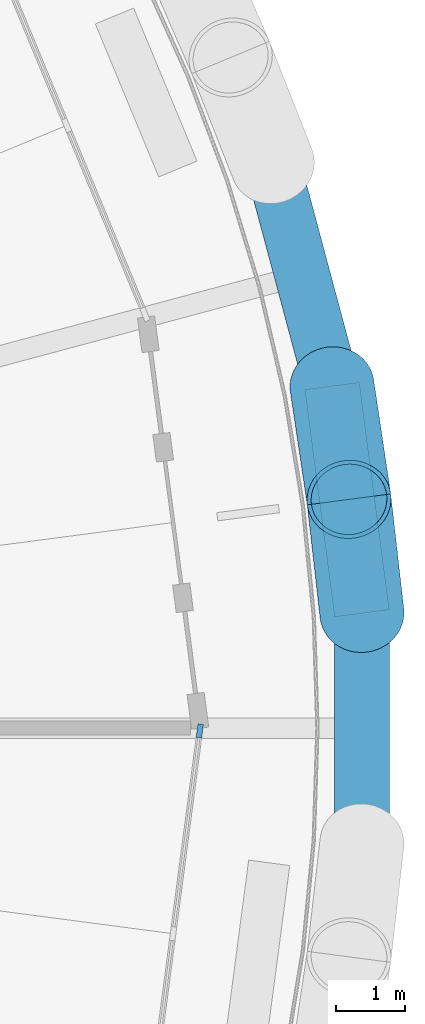
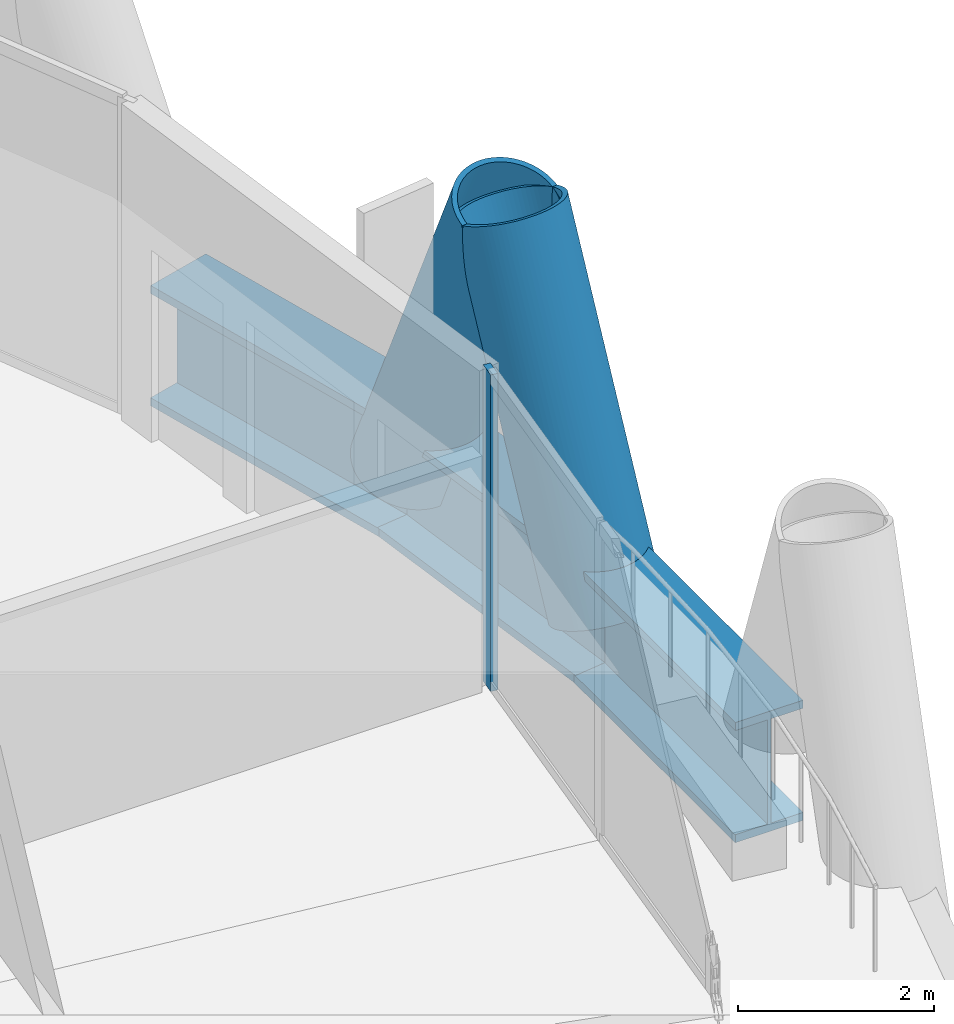
# One storey, part 5 of 15: 3 beams, 3 members, 1 element without a shape of its own.
"""IFC4 building model written with IfcOpenShell, lengths in metres."""

from ifc_helpers import new_model, si_unit, direction, frame, origin, origin_2d, place, context, subcontext, project, spatial, rectangle, hollow_circle, i_section, extrude, material, material_profile, profile_set, type_object, element, aggregate, save


model = new_model("IFC4")

# Units and contexts
model_context = context("Model", 3, precision=1e-05, world=origin(), true_north=direction((0.0, 1.0)))
body_context = subcontext(model_context, "Body", "Model", "MODEL_VIEW")
ifc_project = project(units=[si_unit("LENGTHUNIT", "METRE"), si_unit("AREAUNIT", "SQUARE_METRE"), si_unit("VOLUMEUNIT", "CUBIC_METRE"), si_unit("PLANEANGLEUNIT", "RADIAN"), si_unit("MASSUNIT", "GRAM", prefix="KILO")], contexts=[model_context])

# Site, building, storey
site_placement = place(None, origin())
site = spatial("IfcSite", under=ifc_project, at=site_placement, CompositionType="ELEMENT")
building_placement = place(site_placement, origin())
building = spatial("IfcBuilding", under=site, at=building_placement, Name="Qaws Media Tower", CompositionType="ELEMENT")
storey_placement = place(building_placement, frame((0.0, 0.0, 97.39990234375)))
storey = spatial("IfcBuildingStorey", under=building, at=storey_placement, Name="L21", CompositionType="ELEMENT", Elevation=97.39990234375)

# Curtain wall, member
ifc_material_1 = material(Name="Aluminium and clear glass", Category="aluminium")
curtain_wall_type = type_object("IfcCurtainWallType", Name="Unitised curtain wall CW-A", PredefinedType="NOTDEFINED", material=ifc_material_1)
curtain_wall_placement = place(storey_placement, origin())
curtain_wall = element("IfcCurtainWall", 1, at=curtain_wall_placement, inside=storey, type_object=curtain_wall_type, Name="CWA curtain wall L21-24", PredefinedType="NOTDEFINED")
ifc_material_2 = material(Name="Aluminium mullion", Category="aluminium")
ifc_material_profile_1 = material_profile(ifc_material_2, rectangle(XDim=0.080078125, YDim=0.199951171875, at=origin_2d()), Name="80x200")
ifc_profile_set_1 = profile_set([ifc_material_profile_1], Name="Aluminium mullion")
member_type_1 = type_object("IfcMemberType", Name="Curtain wall mullion 80x200", PredefinedType="MULLION", material=ifc_profile_set_1)
member_placement = place(storey_placement, frame((83.019775390625, 49.96044921875, 0.0), z_axis=(0.0, 0.0, 1.0), x_axis=(-0.991444859517, 0.130526206323, 0.0)))
member = element("IfcMember", 2, at=member_placement, type_object=member_type_1, Name="CWA mullion 3", PredefinedType="MULLION", context=body_context, shape_type="SweptSolid", body=[
    extrude(rectangle(XDim=0.080078125, YDim=0.199951171875, at=origin_2d()), origin(), (0.0, 0.0, 1.0), 3.9501953125),
])
aggregate(curtain_wall, [member])

# Members
ifc_material_3 = material(Name="Steel S460", Category="steel")
ifc_material_profile_2 = material_profile(ifc_material_3, hollow_circle(Radius=0.609619140625, WallThickness=0.06005859375, at=origin_2d()), Name="CHS 1219x60")
ifc_profile_set_2 = profile_set([ifc_material_profile_2], Name="Steel S460")
member_type_2 = type_object("IfcMemberType", Name="Diagrid member CHS 1219x60", PredefinedType="USERDEFINED", material=ifc_profile_set_2)
for number, where, z_axis, x_axis, name in (
    (3, (85.37060546875, 51.662841796875, -0.909912109375), (-0.042398060104, 0.372717492007, 0.926975768643), (-0.993592148924, -0.113024960064, 0.0), "DG1 diagrid L21 A01"),
    (4, (84.9365234375, 54.960205078125, -0.909912109375), (0.055503674666, -0.370960571653, 0.926988455363), (0.988991200484, 0.147974340224, 0.0), "DG1 diagrid L21 B02"),
):
    element("IfcMember", number, at=place(storey_placement, frame(where, z_axis=z_axis, x_axis=x_axis)), inside=storey, type_object=member_type_2, Name=name, ObjectType="DIAGRID", PredefinedType="USERDEFINED", context=body_context, shape_type="SweptSolid", body=[
        extrude(hollow_circle(Radius=0.609619140625, WallThickness=0.06005859375, at=origin_2d()), origin(), (0.0, 0.0, 1.0), 4.433837890625),
    ])

# Beams
ifc_material_4 = material(Name="Steel S460", Category="steel")
ifc_material_profile_3 = material_profile(ifc_material_4, i_section(OverallWidth=0.800048828125, OverallDepth=1.5, WebThickness=0.0400390625, FlangeThickness=0.10009765625, at=origin_2d()), Name="PG 1500x800")
ifc_profile_set_3 = profile_set([ifc_material_profile_3], Name="Steel S460")
beam_type = type_object("IfcBeamType", Name="Edge ring beam PG 1500x800", PredefinedType="BEAM", material=ifc_profile_set_3)
beam_placement = place(storey_placement, frame((85.37060546875, 51.662841796875, -0.909912109375), z_axis=(-0.130519075183, 0.991445798324, 0.0), x_axis=(-0.991445798324, -0.130519075183, 0.0)))
element("IfcBeam", 5, at=beam_placement, inside=storey, type_object=beam_type, Name="RB7 edge ring beam L21-01", PredefinedType="BEAM", context=body_context, shape_type="SweptSolid", body=[
    extrude(i_section(OverallWidth=0.800048828125, OverallDepth=1.5, WebThickness=0.0400390625, FlangeThickness=0.10009765625, at=origin_2d()), origin(), (0.0, 0.0, 1.0), 3.325927734375),
])
for number, where, z_axis, x_axis, name in (
    (6, (84.9365234375, 54.960205078125, -0.909912109375), (-0.258841272413, 0.965919870225, 0.0), (-0.965919870225, -0.258841272413, 0.0), "RB7 edge ring beam L21-02"),
    (7, (85.37060546875, 48.337158203125, -0.909912109375), (0.0, 1.0, 0.0), (-1.0, 0.0, 0.0), "RB7 edge ring beam L21-48"),
):
    element("IfcBeam", number, at=place(storey_placement, frame(where, z_axis=z_axis, x_axis=x_axis)), inside=storey, type_object=beam_type, Name=name, PredefinedType="BEAM", context=body_context, shape_type="SweptSolid", body=[
        extrude(i_section(OverallWidth=0.800048828125, OverallDepth=1.5, WebThickness=0.0400390625, FlangeThickness=0.10009765625, at=origin_2d()), origin(), (0.0, 0.0, 1.0), 3.32568359375),
    ])

save(model, "model.ifc")
